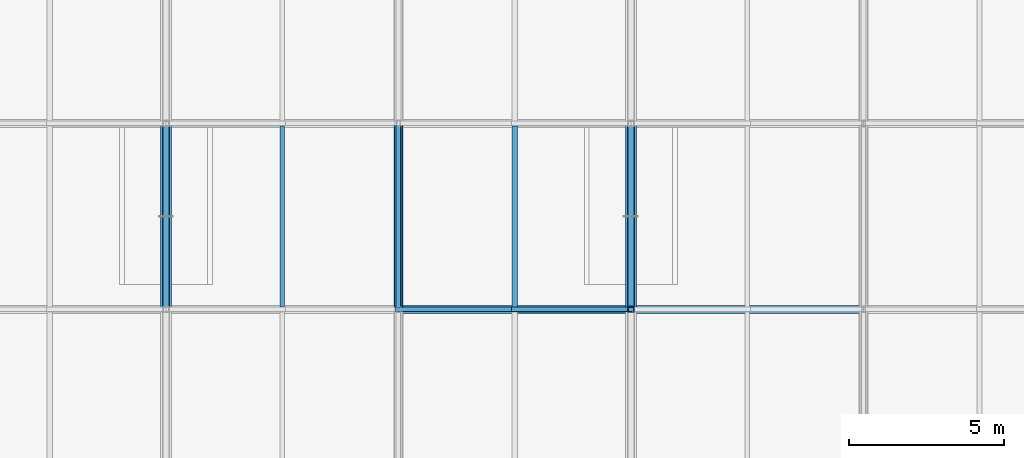
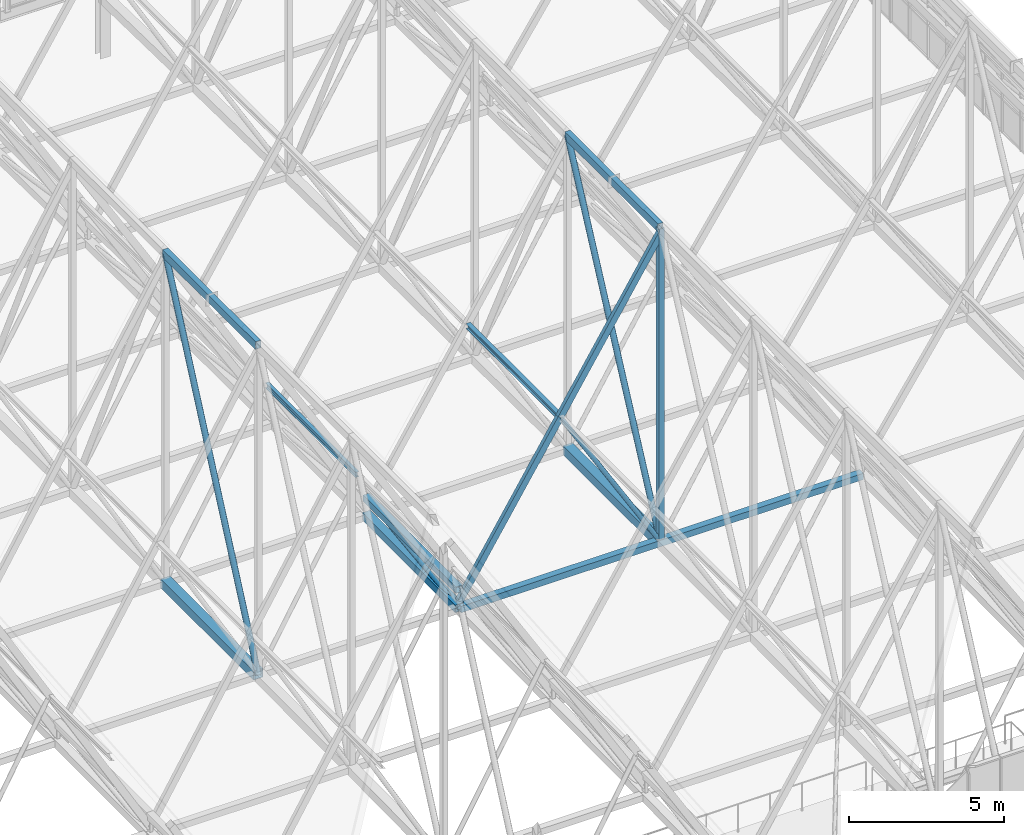
# One storey, part 150 of 324: 14 members, 2 beams.
"""IFC4 building model written with IfcOpenShell, lengths in metres."""

from ifc_helpers import new_model, si_unit, direction, frame, origin, origin_2d, place, context, subcontext, project, spatial, hollow_rectangle, hollow_circle, i_section, extrude, material, material_profile, profile_set, type_object, element, save


model = new_model("IFC4")

# Units and contexts
model_context = context("Model", 3, precision=1e-05, world=origin(), true_north=direction((0.0, 1.0)))
body_context = subcontext(model_context, "Body", "Model", "MODEL_VIEW")
ifc_project = project(units=[si_unit("LENGTHUNIT", "METRE"), si_unit("AREAUNIT", "SQUARE_METRE"), si_unit("VOLUMEUNIT", "CUBIC_METRE"), si_unit("PLANEANGLEUNIT", "RADIAN"), si_unit("MASSUNIT", "GRAM", prefix="KILO")], contexts=[model_context])

# Site, building, storey
site_placement = place(None, origin())
site = spatial("IfcSite", under=ifc_project, at=site_placement, CompositionType="ELEMENT")
building_placement = place(site_placement, origin())
building = spatial("IfcBuilding", under=site, at=building_placement, Name="Solvenia Promenade Tram Depot", CompositionType="ELEMENT")
storey_placement = place(building_placement, frame((0.0, 0.0, 4.5)))
storey = spatial("IfcBuildingStorey", under=building, at=storey_placement, Name="L01", CompositionType="ELEMENT", Elevation=4.5)

# Members
ifc_material_1 = material(Name="Structural steel ASTM A500 Gr. C", Category="steel")
ifc_material_profile_1 = material_profile(ifc_material_1, hollow_circle(Radius=0.109619140625, WallThickness=0.008056640625, at=origin_2d()), Name="CHS219.1x8", Category="steel")
ifc_profile_set_1 = profile_set([ifc_material_profile_1], Name="Structural steel ASTM A500 Gr. C")
member_type_1 = type_object("IfcMemberType", Name="Brace-CHS219x8", PredefinedType="BRACE", material=ifc_profile_set_1)
member_1_placement = place(storey_placement, frame((112.5, 90.0, 2.656005859375), z_axis=(0.0, 0.419298352523, 0.907848495935), x_axis=(-1.0, 0.0, 0.0)))
element("IfcMember", 1, at=member_1_placement, inside=storey, type_object=member_type_1, Name="Arched Truss T16 Web Diagonal S05", PredefinedType="BRACE", context=body_context, shape_type="SweptSolid", body=[
    extrude(hollow_circle(Radius=0.109619140625, WallThickness=0.008056640625, at=origin_2d()), origin(), (0.0, 0.0, 1.0), 14.3095703125),
])
member_2_placement = place(storey_placement, frame((127.5, 90.0, 2.656005859375), z_axis=(0.0, 0.436015794582, 0.899939012864), x_axis=(-1.0, 0.0, 0.0)))
element("IfcMember", 2, at=member_2_placement, inside=storey, type_object=member_type_1, Name="Arched Truss T18 Web Diagonal S05", PredefinedType="BRACE", context=body_context, shape_type="SweptSolid", body=[
    extrude(hollow_circle(Radius=0.109619140625, WallThickness=0.008056640625, at=origin_2d()), origin(), (0.0, 0.0, 1.0), 13.760986328125),
])
ifc_material_profile_2 = material_profile(ifc_material_1, hollow_rectangle(XDim=0.14990234375, YDim=0.25, WallThickness=0.010009765625, at=origin_2d()), Name="HSS250x150x10", Category="steel")
ifc_profile_set_2 = profile_set([ifc_material_profile_2], Name="Structural steel ASTM A500 Gr. C")
member_type_2 = type_object("IfcMemberType", Name="Chord-HSS250x150x10", PredefinedType="CHORD", material=ifc_profile_set_2)
member_3_placement = place(storey_placement, frame((120.0, 90.0, 2.942626953125), z_axis=(0.533506771487, 0.0, 0.845795793781), x_axis=(0.0, 1.0, 0.0)))
element("IfcMember", 3, at=member_3_placement, inside=storey, type_object=member_type_2, Name="Zigzag Gable 09 West Lower Rafter", PredefinedType="CHORD", context=body_context, shape_type="SweptSolid", body=[
    extrude(hollow_rectangle(XDim=0.14990234375, YDim=0.25, WallThickness=0.010009765625, at=origin_2d()), origin(), (0.0, 0.0, 1.0), 7.029052734375),
])
member_4_placement = place(storey_placement, frame((123.75, 90.0, 8.8876953125), z_axis=(0.533522444929, 0.0, 0.845785907164), x_axis=(0.0, 1.0, 0.0)))
element("IfcMember", 4, at=member_4_placement, inside=storey, type_object=member_type_2, Name="Zigzag Gable 09 West Upper Rafter", PredefinedType="CHORD", context=body_context, shape_type="SweptSolid", body=[
    extrude(hollow_rectangle(XDim=0.14990234375, YDim=0.25, WallThickness=0.010009765625, at=origin_2d()), origin(), (0.0, 0.0, 1.0), 7.02880859375),
])
ifc_material_profile_3 = material_profile(ifc_material_1, hollow_rectangle(XDim=0.25, YDim=0.25, WallThickness=0.010009765625, at=origin_2d()), Name="HSS250x250x10", Category="steel")
ifc_profile_set_3 = profile_set([ifc_material_profile_3], Name="Structural steel ASTM A500 Gr. C")
member_type_3 = type_object("IfcMemberType", Name="Chord-HSS250x250x10", PredefinedType="CHORD", material=ifc_profile_set_3)
member_5_placement = place(storey_placement, frame((120.0, 90.0, 3.3798828125), z_axis=(0.0, 1.0, 0.0), x_axis=(-1.0, 0.0, 0.0)))
element("IfcMember", 5, at=member_5_placement, inside=storey, type_object=member_type_3, Name="Arched Truss T17 Upper Chord S05", PredefinedType="CHORD", context=body_context, shape_type="SweptSolid", body=[
    extrude(hollow_rectangle(XDim=0.25, YDim=0.25, WallThickness=0.010009765625, at=origin_2d()), origin(), (0.0, 0.0, 1.0), 6.0),
])
member_6_placement = place(storey_placement, frame((120.0, 90.0, 2.656005859375), z_axis=(1.0, 0.0, 0.0), x_axis=(0.0, 1.0, 0.0)))
element("IfcMember", 6, at=member_6_placement, inside=storey, type_object=member_type_3, Name="Bottom-Chord Catenary Lateral Tie 076", PredefinedType="CHORD", context=body_context, shape_type="SweptSolid", body=[
    extrude(hollow_rectangle(XDim=0.25, YDim=0.25, WallThickness=0.010009765625, at=origin_2d()), origin(), (0.0, 0.0, 1.0), 15.0),
])
ifc_material_profile_4 = material_profile(ifc_material_1, hollow_rectangle(XDim=0.199951171875, YDim=0.300048828125, WallThickness=0.012451171875, at=origin_2d()), Name="HSS300x200x12.5", Category="steel")
ifc_profile_set_4 = profile_set([ifc_material_profile_4], Name="Structural steel ASTM A500 Gr. C")
member_type_4 = type_object("IfcMemberType", Name="Chord-HSS300x200x12", PredefinedType="CHORD", material=ifc_profile_set_4)
for number, where, z_axis, x_axis, name in (
    (7, (112.5, 90.0, 15.64697265625), (0.0, 1.0, 0.0), (-1.0, 0.0, 0.0), "Arched Truss T16 Upper Chord S05"),
    (8, (127.5, 90.0, 15.0400390625), (0.0, 1.0, 0.0), (-1.0, 0.0, 0.0), "Arched Truss T18 Upper Chord S05"),
):
    element("IfcMember", number, at=place(storey_placement, frame(where, z_axis=z_axis, x_axis=x_axis)), inside=storey, type_object=member_type_4, Name=name, PredefinedType="CHORD", context=body_context, shape_type="SweptSolid", body=[
        extrude(hollow_rectangle(XDim=0.199951171875, YDim=0.300048828125, WallThickness=0.012451171875, at=origin_2d()), origin(), (0.0, 0.0, 1.0), 6.0),
    ])
ifc_material_profile_5 = material_profile(ifc_material_1, hollow_rectangle(XDim=0.300048828125, YDim=0.300048828125, WallThickness=0.012451171875, at=origin_2d()), Name="HSS300x300x12.5", Category="steel")
ifc_profile_set_5 = profile_set([ifc_material_profile_5], Name="Structural steel ASTM A500 Gr. C")
member_type_5 = type_object("IfcMemberType", Name="Chord-HSS300x300x12", PredefinedType="CHORD", material=ifc_profile_set_5)
member_7_placement = place(storey_placement, frame((120.0, 90.0, 2.656005859375), z_axis=(0.0, 0.999997310351, 0.002319329699), x_axis=(-1.0, 0.0, 0.0)))
element("IfcMember", 9, at=member_7_placement, inside=storey, type_object=member_type_5, Name="Arched Truss T17 Bottom Chord S05", PredefinedType="CHORD", context=body_context, shape_type="SweptSolid", body=[
    extrude(hollow_rectangle(XDim=0.300048828125, YDim=0.300048828125, WallThickness=0.012451171875, at=origin_2d()), origin(), (0.0, 0.0, 1.0), 6.0),
])
ifc_material_profile_6 = material_profile(ifc_material_1, hollow_rectangle(XDim=0.35009765625, YDim=0.35009765625, WallThickness=0.01611328125, at=origin_2d()), Name="HSS350x350x16", Category="steel")
ifc_profile_set_6 = profile_set([ifc_material_profile_6], Name="Structural steel ASTM A500 Gr. C")
member_type_6 = type_object("IfcMemberType", Name="Chord-HSS350x350x16", PredefinedType="CHORD", material=ifc_profile_set_6)
for number, where, z_axis, x_axis, name in (
    (10, (112.5, 90.0, 2.656005859375), (0.0, 0.999997310351, 0.002319329699), (-1.0, 0.0, 0.0), "Arched Truss T16 Bottom Chord S05"),
    (11, (127.5, 90.0, 2.656005859375), (0.0, 0.999997310351, 0.002319329699), (-1.0, 0.0, 0.0), "Arched Truss T18 Bottom Chord S05"),
):
    element("IfcMember", number, at=place(storey_placement, frame(where, z_axis=z_axis, x_axis=x_axis)), inside=storey, type_object=member_type_6, Name=name, PredefinedType="CHORD", context=body_context, shape_type="SweptSolid", body=[
        extrude(hollow_rectangle(XDim=0.35009765625, YDim=0.35009765625, WallThickness=0.01611328125, at=origin_2d()), origin(), (0.0, 0.0, 1.0), 6.0),
    ])
ifc_material_profile_7 = material_profile(ifc_material_1, hollow_rectangle(XDim=0.199951171875, YDim=0.199951171875, WallThickness=0.010009765625, at=origin_2d()), Name="HSS200x200x10", Category="steel")
ifc_profile_set_7 = profile_set([ifc_material_profile_7], Name="Structural steel ASTM A500 Gr. C")
member_type_7 = type_object("IfcMemberType", Name="Post-HSS200x200x10", PredefinedType="POST", material=ifc_profile_set_7)
member_8_placement = place(storey_placement, frame((127.5, 90.0, 2.656005859375), z_axis=(0.0, 0.0, 1.0), x_axis=(1.0, 0.0, 0.0)))
element("IfcMember", 12, at=member_8_placement, inside=storey, type_object=member_type_7, Name="Arched Truss T18 Web Post S04", PredefinedType="POST", context=body_context, shape_type="SweptSolid", body=[
    extrude(hollow_rectangle(XDim=0.199951171875, YDim=0.199951171875, WallThickness=0.010009765625, at=origin_2d()), origin(), (0.0, 0.0, 1.0), 12.384033203125),
])

# Beams
ifc_material_2 = material(Name="Structural steel ASTM A992 Gr. 50", Category="steel")
ifc_material_profile_8 = material_profile(ifc_material_2, i_section(OverallWidth=0.133056640625, OverallDepth=0.20703125, WebThickness=0.005859375, FlangeThickness=0.00830078125, FilletRadius=0.009033203125, at=origin_2d()), Name="W200x27", Category="steel")
ifc_profile_set_8 = profile_set([ifc_material_profile_8], Name="Structural steel ASTM A992 Gr. 50")
beam_type_1 = type_object("IfcBeamType", Name="Purlin-W200x27", PredefinedType="USERDEFINED", material=ifc_profile_set_8)
beam_1_placement = place(storey_placement, frame((116.25, 90.0849609375, 9.169677734375), z_axis=(0.0, 1.0, 0.0), x_axis=(-1.0, 0.0, 0.0)))
element("IfcBeam", 13, at=beam_1_placement, inside=storey, type_object=beam_type_1, Name="Gable Roof Purlin E-0150", ObjectType="PURLIN", PredefinedType="USERDEFINED", context=body_context, shape_type="SweptSolid", body=[
    extrude(i_section(OverallWidth=0.133056640625, OverallDepth=0.20703125, WebThickness=0.005859375, FlangeThickness=0.00830078125, FilletRadius=0.009033203125, at=origin_2d()), origin(), (0.0, 0.0, 1.0), 5.830078125),
])
ifc_material_profile_9 = material_profile(ifc_material_2, i_section(OverallWidth=0.1650390625, OverallDepth=0.200927734375, WebThickness=0.006103515625, FlangeThickness=0.01025390625, FilletRadius=0.010009765625, at=origin_2d()), Name="W200x36", Category="steel")
ifc_profile_set_9 = profile_set([ifc_material_profile_9], Name="Structural steel ASTM A992 Gr. 50")
beam_type_2 = type_object("IfcBeamType", Name="Purlin-W200x36", PredefinedType="USERDEFINED", material=ifc_profile_set_9)
beam_2_placement = place(storey_placement, frame((123.75, 90.0849609375, 8.8857421875), z_axis=(0.0, 1.0, 0.0), x_axis=(-1.0, 0.0, 0.0)))
element("IfcBeam", 14, at=beam_2_placement, inside=storey, type_object=beam_type_2, Name="Gable Roof Purlin W-0169", ObjectType="PURLIN", PredefinedType="USERDEFINED", context=body_context, shape_type="SweptSolid", body=[
    extrude(i_section(OverallWidth=0.1650390625, OverallDepth=0.200927734375, WebThickness=0.006103515625, FlangeThickness=0.01025390625, FilletRadius=0.010009765625, at=origin_2d()), origin(), (0.0, 0.0, 1.0), 5.830078125),
])

# Members
ifc_material_profile_10 = material_profile(ifc_material_1, hollow_circle(Radius=0.084228515625, WallThickness=0.008056640625, at=origin_2d()), Name="CHS168.3x8", Category="steel")
ifc_profile_set_10 = profile_set([ifc_material_profile_10], Name="Structural steel ASTM A500 Gr. C")
member_type_8 = type_object("IfcMemberType", Name="WebDiag-CHS168x8", PredefinedType="BRACE", material=ifc_profile_set_10)
member_9_placement = place(storey_placement, frame((120.0, 90.0, 2.656005859375), z_axis=(0.0, 0.992800749036, 0.119777596879), x_axis=(-1.0, 0.0, 0.0)))
element("IfcMember", 15, at=member_9_placement, inside=storey, type_object=member_type_8, Name="Arched Truss T17 Web Diagonal S05", PredefinedType="BRACE", context=body_context, shape_type="SweptSolid", body=[
    extrude(hollow_circle(Radius=0.084228515625, WallThickness=0.008056640625, at=origin_2d()), origin(), (0.0, 0.0, 1.0), 6.04345703125),
])
member_10_placement = place(storey_placement, frame((127.5, 90.0, 2.656005859375), z_axis=(-0.515606033045, 0.0, 0.856825780826), x_axis=(0.0, -1.0, 0.0)))
element("IfcMember", 16, at=member_10_placement, inside=storey, type_object=member_type_8, Name="Zigzag Gable 09 West Knee Strut", PredefinedType="BRACE", context=body_context, shape_type="SweptSolid", body=[
    extrude(hollow_circle(Radius=0.084228515625, WallThickness=0.008056640625, at=origin_2d()), origin(), (0.0, 0.0, 1.0), 7.27294921875),
])

save(model, "model.ifc")
